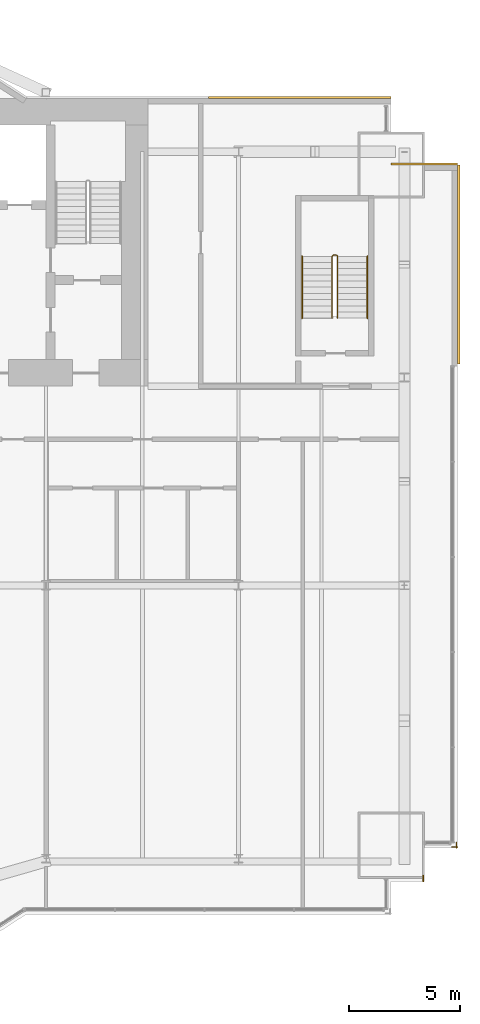
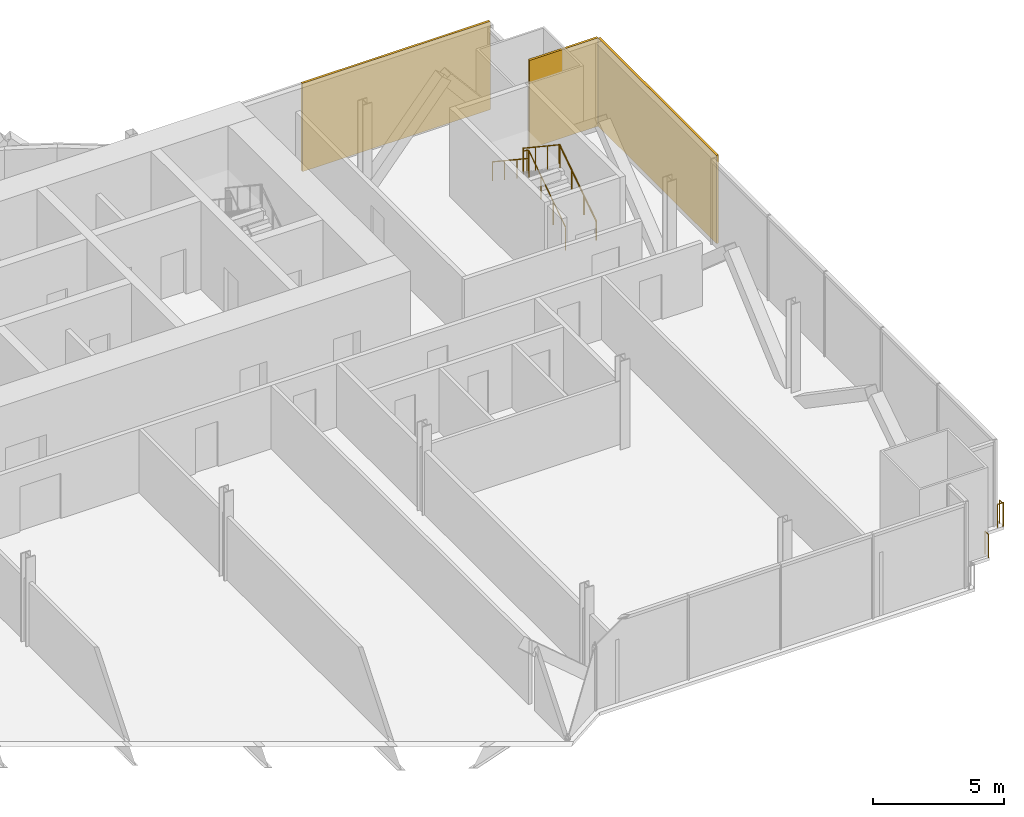
# One storey, part 21 of 21: 5 railings, 3 coverings.
"""IFC4 building model written with IfcOpenShell, lengths in metres."""

import ifcopenshell
import ifcopenshell.guid

model = None  # the IFC model being written
_history = None  # IfcOwnerHistory: only IFC2X3 demands one
_inside = {}  # id of a spatial element -> (the spatial element, [elements in it])
_under = {}  # id of a project, library or spatial element -> (it, [spatial elements below it])
_declared = {}  # id of a project -> (the project, [libraries it declares])
_typed = {}  # id of a type object -> (the type object, [elements of that type])
_made_of = {}  # id of a material, layer set ... -> (it, [elements and type objects made of it])


def new_model(schema):
    """Start an empty IFC model of exactly this schema.

    Asked for "IFC4X3", IfcOpenShell would pick the latest addendum, in which some entities
    have other attributes; the version numbers below select the first issue.
    IFC2X3 requires an IfcOwnerHistory on every rooted entity: one is made here for all.
    """
    global model, _history
    if schema == "IFC4X3":
        model = ifcopenshell.file(schema_version=(4, 3, 0, 0))
    else:
        model = ifcopenshell.file(schema=schema)
    _inside.clear()
    _under.clear()
    _declared.clear()
    _typed.clear()
    _made_of.clear()
    _history = None
    if model.schema == "IFC2X3":
        org = make("IfcOrganization", Name="unknown")
        user = make(
            "IfcPersonAndOrganization",
            ThePerson=make("IfcPerson", FamilyName="unknown"),
            TheOrganization=org,
        )
        app = make(
            "IfcApplication",
            ApplicationDeveloper=org,
            Version="unknown",
            ApplicationFullName="unknown",
            ApplicationIdentifier="unknown",
        )
        _history = make(
            "IfcOwnerHistory",
            OwningUser=user,
            OwningApplication=app,
            ChangeAction="ADDED",
            CreationDate=0,
        )
    return model


def make(cls, **values):
    """One entity of the class cls with the attributes given. An attribute that is None is left unset."""
    return model.create_entity(
        cls, **{name: value for name, value in values.items() if value is not None}
    )


def rooted(cls, **values):
    """An entity with a GlobalId (a new one), such as an element, a storey or a relation."""
    return make(cls, GlobalId=ifcopenshell.guid.new(), OwnerHistory=_history, **values)


def si_unit(unit_type, name, prefix=None):
    """IfcSIUnit, for example si_unit("LENGTHUNIT", "METRE", prefix="MILLI")."""
    return make("IfcSIUnit", UnitType=unit_type, Prefix=prefix, Name=name)


def assignment(units):
    """IfcUnitAssignment: the units of a project."""
    return None if units is None else make("IfcUnitAssignment", Units=units)


def point(xyz):
    """IfcCartesianPoint."""
    return None if xyz is None else make("IfcCartesianPoint", Coordinates=xyz)


def direction(xyz):
    """IfcDirection."""
    return None if xyz is None else make("IfcDirection", DirectionRatios=xyz)


def frame(location, z_axis=None, x_axis=None):
    """IfcAxis2Placement3D, a coordinate frame: its origin and axes. An axis left out is left unset."""
    return make(
        "IfcAxis2Placement3D",
        Location=point(location),
        Axis=direction(z_axis),
        RefDirection=direction(x_axis),
    )


def frame_2d(location, x_axis=None):
    """IfcAxis2Placement2D, a coordinate frame in the plane: its origin and x axis."""
    return make(
        "IfcAxis2Placement2D", Location=point(location), RefDirection=direction(x_axis)
    )


def origin():
    """The frame at (0, 0, 0) with its axes left unset."""
    return frame((0.0, 0.0, 0.0))


def origin_2d():
    """The frame at (0, 0) in the plane with its x axis left unset."""
    return frame_2d((0.0, 0.0))


def place(relative_to, where):
    """IfcLocalPlacement: puts the frame where relative to a parent placement (None: the world)."""
    return make(
        "IfcLocalPlacement", PlacementRelTo=relative_to, RelativePlacement=where
    )


def context(
    kind, dimensions, precision=None, world=None, true_north=None, identifier=None
):
    """IfcGeometricRepresentationContext, for example the 3D "Model" context."""
    return make(
        "IfcGeometricRepresentationContext",
        ContextIdentifier=identifier,
        ContextType=kind,
        CoordinateSpaceDimension=dimensions,
        Precision=precision,
        WorldCoordinateSystem=world,
        TrueNorth=true_north,
    )


def subcontext(parent, identifier, kind, view, scale=None):
    """IfcGeometricRepresentationSubContext, for example "Body" below "Model"."""
    return make(
        "IfcGeometricRepresentationSubContext",
        ContextIdentifier=identifier,
        ContextType=kind,
        ParentContext=parent,
        TargetScale=scale,
        TargetView=view,
    )


def project(units=None, contexts=None):
    """IfcProject with its units and contexts."""
    return rooted(
        "IfcProject",
        Name="project",
        RepresentationContexts=contexts,
        UnitsInContext=assignment(units),
    )


def spatial(cls, under=None, at=None, **own):
    """A site, building, storey or space (cls), placed at a placement, below another one or the project."""
    s = rooted(cls, ObjectPlacement=at, **own)
    if under is not None:
        _under.setdefault(under.id(), (under, []))[1].append(s)
    return s


def profile(cls, at=None, kind="AREA", **sizes):
    """A parametric profile (cls). Its sizes go by their IFC names, for example OverallWidth=200.0."""
    return make(cls, ProfileType=kind, Position=at, **sizes)


def rectangle(**sizes):
    """IfcRectangleProfileDef."""
    return profile("IfcRectangleProfileDef", **sizes)


def circle(**sizes):
    """IfcCircleProfileDef."""
    return profile("IfcCircleProfileDef", **sizes)


def extrude(swept, where, along, depth):
    """IfcExtrudedAreaSolid: the profile swept, set in the frame where, extruded along a direction by depth."""
    return make(
        "IfcExtrudedAreaSolid",
        SweptArea=swept,
        Position=where,
        ExtrudedDirection=direction(along),
        Depth=depth,
    )


def shape(context_of_items, identifier, shape_type, items):
    """IfcShapeRepresentation: the items that make up one representation, for example the "Body"."""
    return make(
        "IfcShapeRepresentation",
        ContextOfItems=context_of_items,
        RepresentationIdentifier=identifier,
        RepresentationType=shape_type,
        Items=items,
    )


def material(Name=None, Category=None):
    """IfcMaterial."""
    return make("IfcMaterial", Name=Name, Category=Category)


def layer(
    of_material, thickness, ventilated=None, Name=None, Category=None, Priority=None
):
    """IfcMaterialLayer: one layer of a wall or slab, of a material (None: an air gap)."""
    return make(
        "IfcMaterialLayer",
        Material=of_material,
        LayerThickness=thickness,
        IsVentilated=ventilated,
        Name=Name,
        Category=Category,
        Priority=Priority,
    )


def layer_set(layers, Name=None):
    """IfcMaterialLayerSet."""
    return make("IfcMaterialLayerSet", MaterialLayers=layers, LayerSetName=Name)


def made_of(thing, what):
    """Note that an element or type object is made of a material, layer set ...; save() writes the relation."""
    if what is not None:
        _made_of.setdefault(what.id(), (what, []))[1].append(thing)
    return thing


def type_object(cls, material=None, **own):
    """A type object (cls), such as IfcWallType, which elements share."""
    return made_of(rooted(cls, **own), material)


def element(
    cls,
    number,
    at=None,
    inside=None,
    cuts=None,
    type_object=None,
    material=None,
    context=None,
    identifier="Body",
    shape_type=None,
    held_by="IfcProductDefinitionShape",
    body=None,
    shapes=None,
    **own,
):
    """One element of the class cls, such as IfcWall. Its Tag is "e" and its number.

    at: its placement. inside: the storey or other place that contains it. cuts: it is an
    opening in that element (IfcRelVoidsElement). A single representation is given by context,
    identifier, shape_type and body (its items); several are given by shapes. held_by: the class
    of the entity that holds the representations. save() writes the other relations.
    """
    e = rooted(cls, Tag="e%d" % number, ObjectPlacement=at, **own)
    if body is not None:
        shapes = [shape(context, identifier, shape_type, body)]
    if shapes is not None:
        e.Representation = make(held_by, Representations=shapes)
    if inside is not None:
        _inside.setdefault(inside.id(), (inside, []))[1].append(e)
    if cuts is not None:
        rooted(
            "IfcRelVoidsElement", RelatingBuildingElement=cuts, RelatedOpeningElement=e
        )
    if type_object is not None:
        _typed.setdefault(type_object.id(), (type_object, []))[1].append(e)
    return made_of(e, material)


def aggregate(whole, parts):
    """IfcRelAggregates: a whole, such as a stair, and the parts it consists of."""
    return rooted("IfcRelAggregates", RelatingObject=whole, RelatedObjects=parts)


def save(model, path):
    """Write the relations noted so far, then the file.

    IfcRelAggregates (storeys below a building ...), IfcRelContainedInSpatialStructure (elements
    in a storey), IfcRelDefinesByType, IfcRelAssociatesMaterial and IfcRelDeclares: one each for
    every whole, place, type object, material and project.
    """
    for whole, parts in _under.values():
        aggregate(whole, parts)
    for where, things in _inside.values():
        rooted(
            "IfcRelContainedInSpatialStructure",
            RelatedElements=things,
            RelatingStructure=where,
        )
    for kind, things in _typed.values():
        rooted("IfcRelDefinesByType", RelatedObjects=things, RelatingType=kind)
    for what, things in _made_of.values():
        rooted("IfcRelAssociatesMaterial", RelatedObjects=things, RelatingMaterial=what)
    for by, libraries in _declared.values():
        rooted("IfcRelDeclares", RelatingContext=by, RelatedDefinitions=libraries)
    model.write(path)


model = new_model("IFC4")

# Units and contexts
model_context = context("Model", 3, precision=1e-05, world=origin(), true_north=direction((0.0, 1.0)))
body_context = subcontext(model_context, "Body", "Model", "MODEL_VIEW")
ifc_project = project(units=[si_unit("LENGTHUNIT", "METRE"), si_unit("AREAUNIT", "SQUARE_METRE"), si_unit("VOLUMEUNIT", "CUBIC_METRE"), si_unit("PLANEANGLEUNIT", "RADIAN"), si_unit("MASSUNIT", "GRAM", prefix="KILO")], contexts=[model_context])

# Site, building, storey
site_placement = place(None, origin())
site = spatial("IfcSite", under=ifc_project, at=site_placement, CompositionType="ELEMENT")
building_placement = place(site_placement, origin())
building = spatial("IfcBuilding", under=site, at=building_placement, Name="Bicima Exchange Tower", CompositionType="ELEMENT")
storey_placement = place(building_placement, frame((0.0, 0.0, 126.800048828125)))
storey = spatial("IfcBuildingStorey", under=building, at=storey_placement, Name="L27", CompositionType="ELEMENT", Elevation=126.800048828125)

# Coverings
ifc_material_1 = material(Name="Bronze metal cladding")
ifc_layer_1 = layer(ifc_material_1, 0.004)
ifc_material_2 = material(Name="Ventilated cavity")
ifc_layer_2 = layer(ifc_material_2, 0.06)
ifc_material_3 = material(Name="Galvanised steel rail and mineral wool", Category="steel")
ifc_layer_3 = layer(ifc_material_3, 0.036)
ifc_layer_set = layer_set([ifc_layer_1, ifc_layer_2, ifc_layer_3], Name="Ventilated cavity")
covering_type = type_object("IfcCoveringType", Name="Bronze metal cladding panel 100", PredefinedType="CLADDING", material=ifc_layer_set)
covering_1_placement = place(storey_placement, frame((28.875, 0.050048828125, -0.150146484375), z_axis=(0.0, 0.0, 1.0), x_axis=(-1.0, 0.0, 0.0)))
element("IfcCovering", 1, at=covering_1_placement, inside=storey, type_object=covering_type, Name="Bronze cladding L27 1.1", PredefinedType="CLADDING", context=body_context, shape_type="SweptSolid", body=[
    extrude(rectangle(XDim=8.25, YDim=0.10009765625, at=origin_2d()), origin(), (0.0, 0.0, 1.0), 4.10009765625),
])
covering_2_placement = place(storey_placement, frame((36.050048828125, -7.5, -0.150146484375), z_axis=(0.0, 0.0, 1.0), x_axis=(0.0, 1.0, 0.0)))
element("IfcCovering", 2, at=covering_2_placement, inside=storey, type_object=covering_type, Name="Bronze cladding L27 50.1", PredefinedType="CLADDING", context=body_context, shape_type="SweptSolid", body=[
    extrude(rectangle(XDim=9.0, YDim=0.10009765625, at=origin_2d()), origin(), (0.0, 0.0, 1.0), 4.10009765625),
])
covering_3_placement = place(storey_placement, frame((34.5, -2.949951171875, -0.150146484375), z_axis=(0.0, 0.0, 1.0), x_axis=(-1.0, 0.0, 0.0)))
element("IfcCovering", 3, at=covering_3_placement, inside=storey, type_object=covering_type, Name="Bronze cladding L27 51.1", PredefinedType="CLADDING", context=body_context, shape_type="SweptSolid", body=[
    extrude(rectangle(XDim=3.0, YDim=0.10009765625, at=origin_2d()), origin(), (0.0, 0.0, 1.0), 4.10009765625),
])

# Railings
ifc_material_4 = material(Name="Stainless steel and bonded safety glass", Category="steel")
railing_type_1 = type_object("IfcRailingType", Name="Edge guard 1100", PredefinedType="GUARDRAIL", material=ifc_material_4)
railing_1_placement = place(storey_placement, frame((35.949951171875, -33.626953125, 0.0)))
element("IfcRailing", 4, at=railing_1_placement, inside=storey, type_object=railing_type_1, Name="Edge guard L27 134", PredefinedType="GUARDRAIL", context=body_context, shape_type="SweptSolid", body=[
    extrude(circle(Radius=0.02392578125, at=origin_2d()), frame((0.0, 0.0, 1.076171875), z_axis=(0.0, -1.0, 0.0), x_axis=(1.0, 0.0, 0.0)), (0.0, 0.0, 1.0), 0.2490234375),
    extrude(circle(Radius=0.02392578125, at=origin_2d()), frame((0.0, -0.2490234375, 1.076171875), z_axis=(0.707106781187, 0.707106781187, 0.0), x_axis=(-0.707106781187, 0.707106781187, 0.0)), (0.0, 0.0, 1.0), 0.07080078125),
    extrude(circle(Radius=0.02392578125, at=origin_2d()), frame((0.050048828125, -0.198974609375, 1.076171875), z_axis=(-1.0, 0.0, 0.0), x_axis=(0.0, -1.0, 0.0)), (0.0, 0.0, 1.0), 0.25),
    extrude(circle(Radius=0.02099609375, at=origin_2d()), origin(), (0.0, 0.0, 1.0), 1.052001953125),
    extrude(circle(Radius=0.02099609375, at=origin_2d()), frame((0.0, -0.2490234375, 0.0)), (0.0, 0.0, 1.0), 1.052001953125),
    extrude(circle(Radius=0.02099609375, at=origin_2d()), frame((0.050048828125, -0.198974609375, 0.0)), (0.0, 0.0, 1.0), 1.052001953125),
    extrude(circle(Radius=0.02099609375, at=origin_2d()), frame((-0.199951171875, -0.198974609375, 0.0)), (0.0, 0.0, 1.0), 1.052001953125),
])
railing_2_placement = place(storey_placement, frame((34.449951171875, -35.1259765625, 0.0)))
element("IfcRailing", 5, at=railing_2_placement, inside=storey, type_object=railing_type_1, Name="Edge guard L27 135", PredefinedType="GUARDRAIL", context=body_context, shape_type="SweptSolid", body=[
    extrude(circle(Radius=0.02392578125, at=origin_2d()), frame((0.0, 0.0, 1.076171875), z_axis=(0.0, -1.0, 0.0), x_axis=(1.0, 0.0, 0.0)), (0.0, 0.0, 1.0), 0.25),
    extrude(circle(Radius=0.02099609375, at=origin_2d()), origin(), (0.0, 0.0, 1.0), 1.052001953125),
    extrude(circle(Radius=0.02099609375, at=origin_2d()), frame((0.0, -0.25, 0.0)), (0.0, 0.0, 1.0), 1.052001953125),
])
ifc_material_5 = material(Name="Stainless steel", Category="steel")
railing_type_2 = type_object("IfcRailingType", Name="Stair guard 1100", PredefinedType="GUARDRAIL", material=ifc_material_5)
railing_3_placement = place(storey_placement, frame((30.574951171875, -9.925048828125, 0.186279296875)))
element("IfcRailing", 6, at=railing_3_placement, inside=storey, type_object=railing_type_2, Name="L27 ST-EE stair guard 1", PredefinedType="GUARDRAIL", context=body_context, shape_type="SweptSolid", body=[
    extrude(circle(Radius=0.02392578125, at=origin_2d()), frame((0.0, 0.0, 1.076171875), z_axis=(0.0, 0.832452072856, 0.554097055034), x_axis=(-1.0, 0.0, 0.0)), (0.0, 0.0, 1.0), 3.363525390625),
    extrude(circle(Radius=0.02392578125, at=origin_2d()), frame((0.0, 2.800048828125, 2.93994140625), z_axis=(-0.707106781187, 0.707106781187, 0.0), x_axis=(-0.707106781187, -0.707106781187, 0.0)), (0.0, 0.0, 1.0), 0.07080078125),
    extrude(circle(Radius=0.02392578125, at=origin_2d()), frame((-0.050048828125, 2.85009765625, 2.93994140625), z_axis=(-1.0, 0.0, 0.0), x_axis=(0.0, -1.0, 0.0)), (0.0, 0.0, 1.0), 0.14990234375),
    extrude(circle(Radius=0.02392578125, at=origin_2d()), frame((-0.199951171875, 2.85009765625, 2.93994140625), z_axis=(-0.251157038772, -0.251157038772, 0.934794246747), x_axis=(0.707106781187, -0.707106781187, 0.0)), (0.0, 0.0, 1.0), 0.19921875),
    extrude(circle(Radius=0.02392578125, at=origin_2d()), frame((-0.25, 2.800048828125, 3.1259765625), z_axis=(0.0, -0.832485552168, 0.554046753832), x_axis=(1.0, 0.0, 0.0)), (0.0, 0.0, 1.0), 3.363525390625),
    extrude(circle(Radius=0.02099609375, at=origin_2d()), origin(), (0.0, 0.0, 1.0), 1.052001953125),
    extrude(circle(Radius=0.02099609375, at=origin_2d()), frame((0.0, 0.933349609375, 0.621337890625)), (0.0, 0.0, 1.0), 1.052001953125),
    extrude(circle(Radius=0.02099609375, at=origin_2d()), frame((0.0, 1.86669921875, 1.242431640625)), (0.0, 0.0, 1.0), 1.052001953125),
    extrude(circle(Radius=0.02099609375, at=origin_2d()), frame((0.0, 2.800048828125, 1.86376953125)), (0.0, 0.0, 1.0), 1.052001953125),
    extrude(circle(Radius=0.02099609375, at=origin_2d()), frame((-0.050048828125, 2.85009765625, 1.86376953125)), (0.0, 0.0, 1.0), 1.052001953125),
    extrude(circle(Radius=0.02099609375, at=origin_2d()), frame((-0.199951171875, 2.85009765625, 1.86376953125)), (0.0, 0.0, 1.0), 1.052001953125),
    extrude(circle(Radius=0.02099609375, at=origin_2d()), frame((-0.25, 2.800048828125, 2.050048828125)), (0.0, 0.0, 1.0), 1.052001953125),
    extrude(circle(Radius=0.02099609375, at=origin_2d()), frame((-0.25, 1.86669921875, 2.671142578125)), (0.0, 0.0, 1.0), 1.052001953125),
    extrude(circle(Radius=0.02099609375, at=origin_2d()), frame((-0.25, 0.933349609375, 3.29248046875)), (0.0, 0.0, 1.0), 1.052001953125),
    extrude(circle(Radius=0.02099609375, at=origin_2d()), frame((-0.25, 0.0, 3.91357421875)), (0.0, 0.0, 1.0), 1.052001953125),
])
railing_type_3 = type_object("IfcRailingType", Name="Stair handrail 900", PredefinedType="HANDRAIL", material=ifc_material_5)
railing_4_placement = place(storey_placement, frame((31.925048828125, -9.925048828125, 0.186279296875)))
element("IfcRailing", 7, at=railing_4_placement, inside=storey, type_object=railing_type_3, Name="L27 ST-EE stair handrail 1", PredefinedType="HANDRAIL", context=body_context, shape_type="SweptSolid", body=[
    extrude(circle(Radius=0.02392578125, at=origin_2d()), frame((0.0, 0.0, 0.8759765625), z_axis=(0.0, 0.832452072856, 0.554097055034), x_axis=(-1.0, 0.0, 0.0)), (0.0, 0.0, 1.0), 3.363525390625),
    extrude(circle(Radius=0.02099609375, at=origin_2d()), origin(), (0.0, 0.0, 1.0), 0.851806640625),
    extrude(circle(Radius=0.02099609375, at=origin_2d()), frame((0.0, 0.933349609375, 0.621337890625)), (0.0, 0.0, 1.0), 0.851806640625),
    extrude(circle(Radius=0.02099609375, at=origin_2d()), frame((0.0, 1.86669921875, 1.242431640625)), (0.0, 0.0, 1.0), 0.851806640625),
    extrude(circle(Radius=0.02099609375, at=origin_2d()), frame((0.0, 2.800048828125, 1.86376953125)), (0.0, 0.0, 1.0), 0.851806640625),
])
railing_5_placement = place(storey_placement, frame((28.97509765625, -7.125, 2.276611328125)))
element("IfcRailing", 8, at=railing_5_placement, inside=storey, type_object=railing_type_3, Name="L27 ST-EE stair handrail 2", PredefinedType="HANDRAIL", context=body_context, shape_type="SweptSolid", body=[
    extrude(circle(Radius=0.02392578125, at=origin_2d()), frame((0.0, 0.0, 0.8759765625), z_axis=(0.0, -0.832452072856, 0.554097055034), x_axis=(1.0, 0.0, 0.0)), (0.0, 0.0, 1.0), 3.363525390625),
    extrude(circle(Radius=0.02099609375, at=origin_2d()), origin(), (0.0, 0.0, 1.0), 0.851806640625),
    extrude(circle(Radius=0.02099609375, at=origin_2d()), frame((0.0, -0.933349609375, 0.621337890625)), (0.0, 0.0, 1.0), 0.851806640625),
    extrude(circle(Radius=0.02099609375, at=origin_2d()), frame((0.0, -1.86669921875, 1.242431640625)), (0.0, 0.0, 1.0), 0.851806640625),
    extrude(circle(Radius=0.02099609375, at=origin_2d()), frame((0.0, -2.800048828125, 1.86376953125)), (0.0, 0.0, 1.0), 0.851806640625),
])

save(model, "model.ifc")
